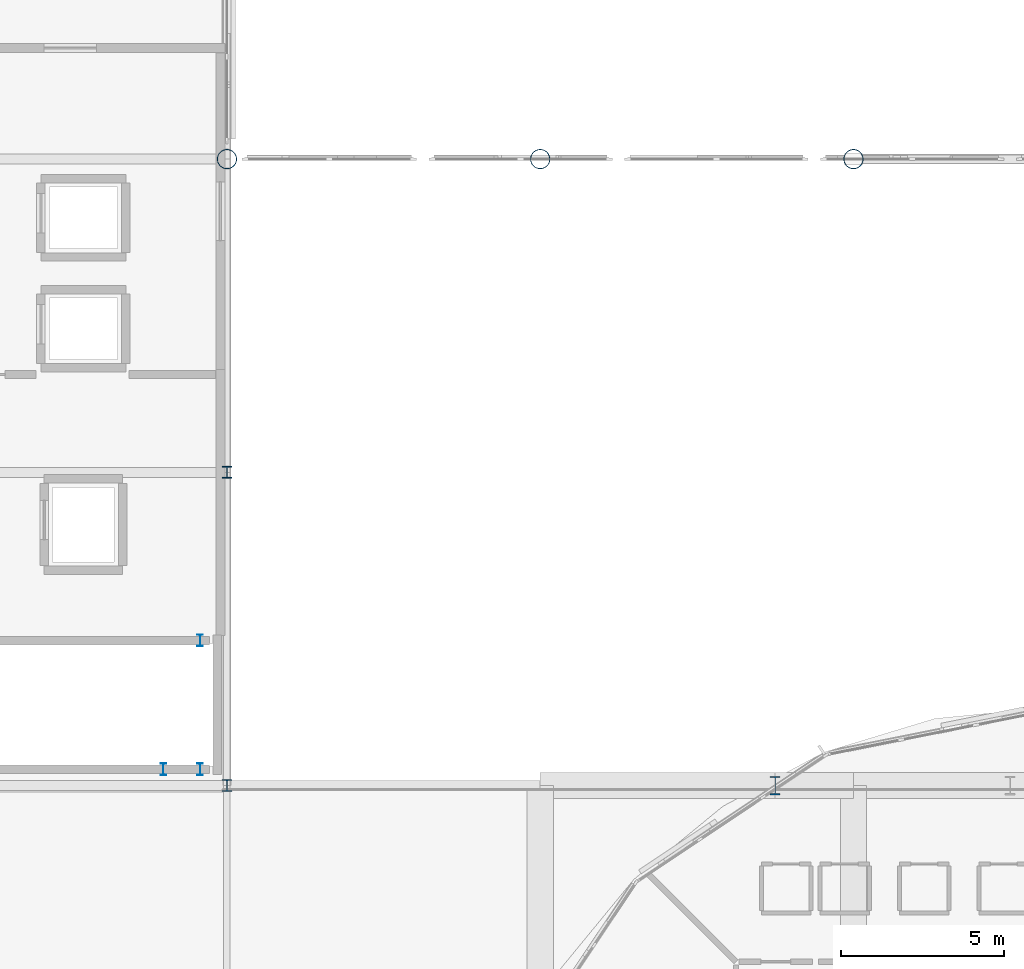
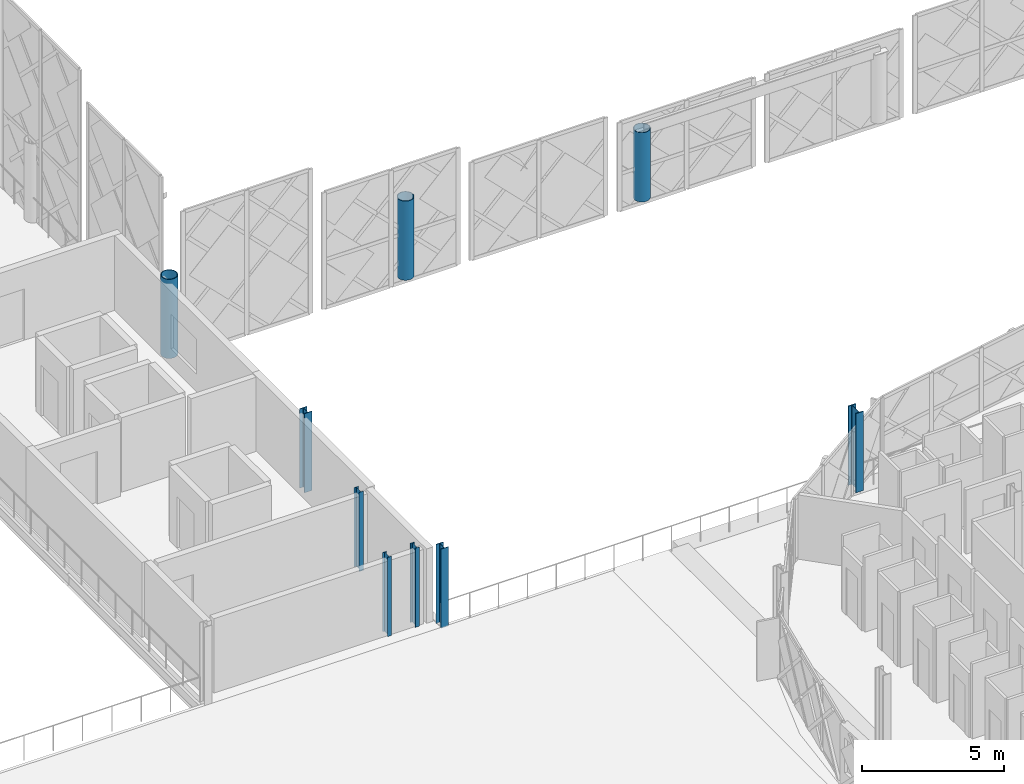
# One storey, part 5 of 53: 9 columns.
"""IFC4 building model written with IfcOpenShell, lengths in metres."""

from ifc_helpers import new_model, si_unit, direction, frame, origin, origin_2d, place, context, subcontext, project, spatial, hollow_circle, i_section, extrude, material, material_profile, profile_set, type_object, element, save


model = new_model("IFC4")

# Units and contexts
model_context = context("Model", 3, precision=1e-05, world=origin(), true_north=direction((0.0, 1.0)))
body_context = subcontext(model_context, "Body", "Model", "MODEL_VIEW")
ifc_project = project(units=[si_unit("LENGTHUNIT", "METRE"), si_unit("AREAUNIT", "SQUARE_METRE"), si_unit("VOLUMEUNIT", "CUBIC_METRE"), si_unit("PLANEANGLEUNIT", "RADIAN"), si_unit("MASSUNIT", "GRAM", prefix="KILO")], contexts=[model_context])

# Site, building, storey
site_placement = place(None, origin())
site = spatial("IfcSite", under=ifc_project, at=site_placement, CompositionType="ELEMENT")
building_placement = place(site_placement, origin())
building = spatial("IfcBuilding", under=site, at=building_placement, Name="Zevrakil Square Congress Hotel", CompositionType="ELEMENT")
storey_placement = place(building_placement, frame((0.0, 0.0, 14.699951171875)))
storey = spatial("IfcBuildingStorey", under=building, at=storey_placement, Name="L04", CompositionType="ELEMENT", Elevation=14.699951171875)

# Columns
ifc_material_1 = material(Name="Steel S355", Category="steel")
ifc_material_profile_1 = material_profile(ifc_material_1, hollow_circle(Radius=0.304931640625, WallThickness=0.02490234375, at=origin_2d()), Name="CHS 610x25")
ifc_profile_set_1 = profile_set([ifc_material_profile_1], Name="Steel S355")
column_type_1 = type_object("IfcColumnType", Name="COL-CHS610", PredefinedType="COLUMN", material=ifc_profile_set_1)
for number, where, z_axis, x_axis, name in (
    (1, (117.60009765625, 64.800048828125, 0.0), (0.0, 0.0, 1.0), (1.0, 0.0, 0.0), "L04 Congress ring pedestal column CP-01"),
    (2, (127.199951171875, 64.800048828125, 0.0), (0.0, 0.0, 1.0), (1.0, 0.0, 0.0), "L04 Congress ring pedestal column CP-02"),
):
    element("IfcColumn", number, at=place(storey_placement, frame(where, z_axis=z_axis, x_axis=x_axis)), inside=storey, type_object=column_type_1, Name=name, PredefinedType="COLUMN", context=body_context, shape_type="SweptSolid", body=[
        extrude(hollow_circle(Radius=0.304931640625, WallThickness=0.02490234375, at=origin_2d()), origin(), (0.0, 0.0, 1.0), 3.400146484375),
    ])
column_1_placement = place(storey_placement, frame((136.800048828125, 64.800048828125, 0.0), z_axis=(0.0, 0.0, 1.0), x_axis=(1.0, 0.0, 0.0)))
element("IfcColumn", 3, at=column_1_placement, inside=storey, type_object=column_type_1, Name="L04 Congress ring pedestal column CP-03", PredefinedType="COLUMN", context=body_context, shape_type="SweptSolid", body=[
    extrude(hollow_circle(Radius=0.304931640625, WallThickness=0.02490234375, at=origin_2d()), origin(), (0.0, 0.0, 1.0), 2.97802734375),
])
ifc_material_2 = material(Name="Steel S355", Category="steel")
ifc_material_profile_2 = material_profile(ifc_material_2, i_section(OverallWidth=0.300048828125, OverallDepth=0.360107421875, WebThickness=0.012451171875, FlangeThickness=0.0224609375, FilletRadius=0.027099609375, at=origin_2d()), Name="HEB 360")
ifc_profile_set_2 = profile_set([ifc_material_profile_2], Name="Steel S355")
column_type_2 = type_object("IfcColumnType", Name="COL-HEB360", PredefinedType="COLUMN", material=ifc_profile_set_2)
for number, where, z_axis, x_axis, name in (
    (4, (117.60009765625, 45.60009765625, 0.0), (0.0, 0.0, 1.0), (1.0, 0.0, 0.0), "L04 column C-186"),
    (5, (117.60009765625, 55.199951171875, 0.0), (0.0, 0.0, 1.0), (1.0, 0.0, 0.0), "L04 column C-187"),
):
    element("IfcColumn", number, at=place(storey_placement, frame(where, z_axis=z_axis, x_axis=x_axis)), inside=storey, type_object=column_type_2, Name=name, PredefinedType="COLUMN", context=body_context, shape_type="SweptSolid", body=[
        extrude(i_section(OverallWidth=0.300048828125, OverallDepth=0.360107421875, WebThickness=0.012451171875, FlangeThickness=0.0224609375, FilletRadius=0.027099609375, at=origin_2d()), origin(), (0.0, 0.0, 1.0), 3.400146484375),
    ])
ifc_material_3 = material(Name="Steel S355", Category="steel")
ifc_material_profile_3 = material_profile(ifc_material_3, i_section(OverallWidth=0.305908203125, OverallDepth=0.572021484375, WebThickness=0.02099609375, FlangeThickness=0.0400390625, FilletRadius=0.027099609375, at=origin_2d()), Name="HEM 550")
ifc_profile_set_3 = profile_set([ifc_material_profile_3], Name="Steel S355")
column_type_3 = type_object("IfcColumnType", Name="COL-HEM550", PredefinedType="COLUMN", material=ifc_profile_set_3)
column_2_placement = place(storey_placement, frame((134.39990234375, 45.60009765625, 0.0), z_axis=(0.0, 0.0, 1.0), x_axis=(1.0, 0.0, 0.0)))
element("IfcColumn", 6, at=column_2_placement, inside=storey, type_object=column_type_3, Name="L04 drum column DC12", PredefinedType="COLUMN", context=body_context, shape_type="SweptSolid", body=[
    extrude(i_section(OverallWidth=0.305908203125, OverallDepth=0.572021484375, WebThickness=0.02099609375, FlangeThickness=0.0400390625, FilletRadius=0.027099609375, at=origin_2d()), origin(), (0.0, 0.0, 1.0), 3.400146484375),
])
ifc_material_4 = material(Name="Steel S355", Category="steel")
ifc_material_profile_4 = material_profile(ifc_material_4, i_section(OverallWidth=0.169921875, OverallDepth=0.360107421875, WebThickness=0.008056640625, FlangeThickness=0.0126953125, FilletRadius=0.01806640625, at=origin_2d()), Name="IPE 360")
ifc_profile_set_4 = profile_set([ifc_material_profile_4], Name="Steel S355")
column_type_4 = type_object("IfcColumnType", Name="COL-PILASTER-SHS180", PredefinedType="PILASTER", material=ifc_profile_set_4)
for number, where, z_axis, x_axis, name in (
    (7, (115.64990234375, 46.10009765625, 0.0), (0.0, 0.0, 1.0), (1.0, 0.0, 0.0), "L04 ST07 stair shaft post 1"),
    (8, (116.780029296875, 46.10009765625, 0.0), (0.0, 0.0, 1.0), (1.0, 0.0, 0.0), "L04 ST07 stair shaft post 2"),
    (9, (116.780029296875, 50.050048828125, 0.0), (0.0, 0.0, 1.0), (1.0, 0.0, 0.0), "L04 ST07 stair shaft post 3"),
):
    element("IfcColumn", number, at=place(storey_placement, frame(where, z_axis=z_axis, x_axis=x_axis)), inside=storey, type_object=column_type_4, Name=name, PredefinedType="PILASTER", context=body_context, shape_type="SweptSolid", body=[
        extrude(i_section(OverallWidth=0.169921875, OverallDepth=0.360107421875, WebThickness=0.008056640625, FlangeThickness=0.0126953125, FilletRadius=0.01806640625, at=origin_2d()), origin(), (0.0, 0.0, 1.0), 3.400146484375),
    ])

save(model, "model.ifc")
